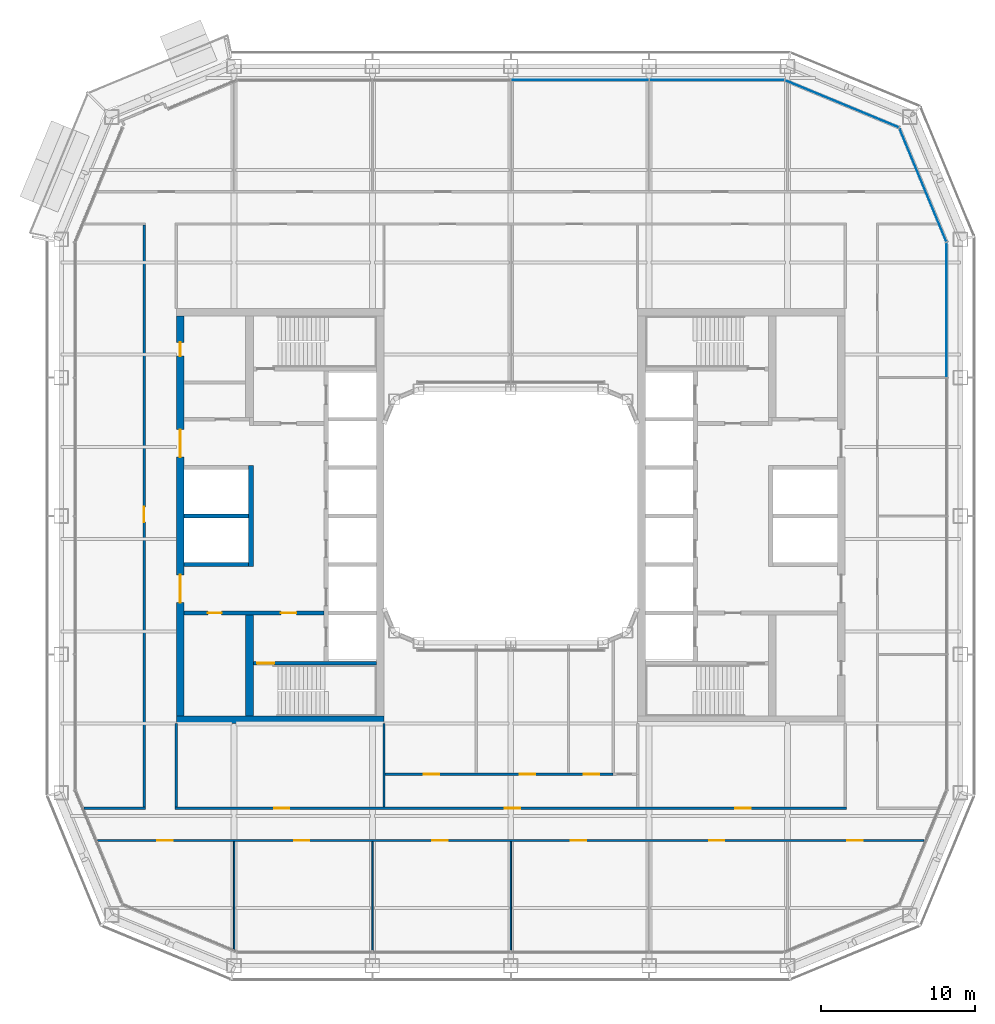
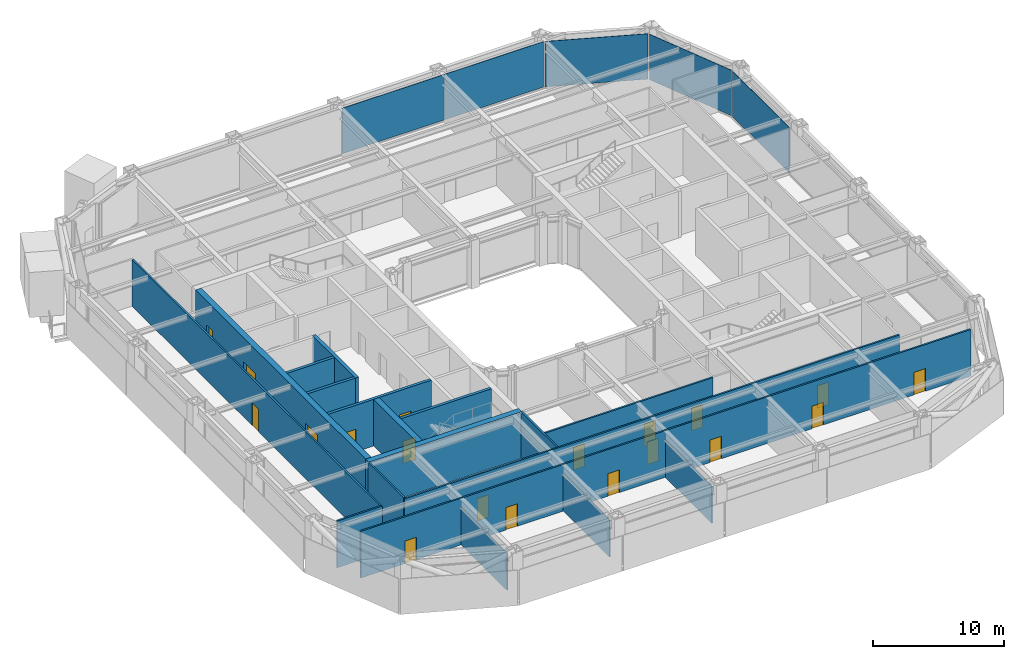
# One storey, part 11 of 23: 19 doors, 18 walls, 5 plates, 19 openings, 4 elements without a shape of their own.
"""IFC4 building model written with IfcOpenShell, lengths in metres."""

from ifc_helpers import new_model, si_unit, direction, frame, frame_2d, origin, origin_2d, place, context, subcontext, project, spatial, rectangle, extrude, material, layer, layer_set, type_object, element, fill, aggregate, save


model = new_model("IFC4")

# Units and contexts
model_context = context("Model", 3, precision=1e-05, world=origin(), true_north=direction((0.0, 1.0)))
body_context = subcontext(model_context, "Body", "Model", "MODEL_VIEW")
ifc_project = project(units=[si_unit("LENGTHUNIT", "METRE"), si_unit("AREAUNIT", "SQUARE_METRE"), si_unit("VOLUMEUNIT", "CUBIC_METRE"), si_unit("PLANEANGLEUNIT", "RADIAN"), si_unit("MASSUNIT", "GRAM", prefix="KILO")], contexts=[model_context])

# Site, building, storey
site_placement = place(None, origin())
site = spatial("IfcSite", under=ifc_project, at=site_placement, CompositionType="ELEMENT")
building_placement = place(site_placement, origin())
building = spatial("IfcBuilding", under=site, at=building_placement, Name="Siwar Civic Tower", CompositionType="ELEMENT")
storey_placement = place(building_placement, frame((0.0, 0.0, 136.199951171875)))
storey = spatial("IfcBuildingStorey", under=building, at=storey_placement, Name="L29", CompositionType="ELEMENT", Elevation=136.199951171875)

# Curtain wall, plate
ifc_material_1 = material(Name="Aluminium and glass", Category="aluminium")
ifc_layer_1 = layer(ifc_material_1, 0.199951171875)
ifc_layer_set_1 = layer_set([ifc_layer_1], Name="Aluminium and glass")
curtain_wall_type_1 = type_object("IfcCurtainWallType", Name="ENV-CW-B", PredefinedType="NOTDEFINED", material=ifc_layer_set_1)
curtain_wall_1_placement = place(storey_placement, origin())
curtain_wall_1 = element("IfcCurtainWall", 1, at=curtain_wall_1_placement, inside=storey, type_object=curtain_wall_type_1, Name="Curtain wall B E", PredefinedType="NOTDEFINED")
ifc_material_2 = material(Name="Glass clear laminated", Category="glass")
ifc_layer_2 = layer(ifc_material_2, 0.033935546875)
ifc_layer_set_2 = layer_set([ifc_layer_2], Name="Glass clear laminated")
plate_type_1 = type_object("IfcPlateType", Name="ENV-PANEL-B", PredefinedType="CURTAIN_PANEL", material=ifc_layer_set_2)
plate_1_placement = place(storey_placement, frame((28.35009765625, 13.369873046875, 0.10986328125), z_axis=(0.0, 0.0, 1.0), x_axis=(0.0, 1.0, 0.0)))
plate_1 = element("IfcPlate", 2, at=plate_1_placement, type_object=plate_type_1, Name="Curtain panel B E 4", PredefinedType="CURTAIN_PANEL", context=body_context, shape_type="SweptSolid", body=[
    extrude(rectangle(XDim=8.6748046875, YDim=0.033935546875, at=origin_2d()), origin(), (0.0, 0.0, 1.0), 4.239990234375),
])
aggregate(curtain_wall_1, [plate_1])

# Curtain wall, plates
curtain_wall_2_placement = place(storey_placement, origin())
curtain_wall_2 = element("IfcCurtainWall", 3, at=curtain_wall_2_placement, inside=storey, type_object=curtain_wall_type_1, Name="Curtain wall B N", PredefinedType="NOTDEFINED")
plate_2_placement = place(storey_placement, frame((13.410400390625, 28.35009765625, 0.10986328125), z_axis=(0.0, 0.0, 1.0), x_axis=(-1.0, 0.0, 0.0)))
plate_2 = element("IfcPlate", 4, at=plate_2_placement, type_object=plate_type_1, Name="Curtain panel B N 1", PredefinedType="CURTAIN_PANEL", context=body_context, shape_type="SweptSolid", body=[
    extrude(rectangle(XDim=8.755859375, YDim=0.033935546875, at=origin_2d()), origin(), (0.0, 0.0, 1.0), 4.239990234375),
])
plate_3_placement = place(storey_placement, frame((4.5, 28.35009765625, 0.10986328125), z_axis=(0.0, 0.0, 1.0), x_axis=(-1.0, 0.0, 0.0)))
plate_3 = element("IfcPlate", 5, at=plate_3_placement, type_object=plate_type_1, Name="Curtain panel B N 2", PredefinedType="CURTAIN_PANEL", context=body_context, shape_type="SweptSolid", body=[
    extrude(rectangle(XDim=8.93505859375, YDim=0.033935546875, at=origin_2d()), origin(), (0.0, 0.0, 1.0), 4.239990234375),
])
aggregate(curtain_wall_2, [plate_2, plate_3])

# Curtain wall, plate
ifc_material_3 = material(Name="Aluminium clad insulated panel", Category="aluminium")
ifc_layer_3 = layer(ifc_material_3, 0.199951171875)
ifc_layer_set_3 = layer_set([ifc_layer_3], Name="Aluminium clad insulated panel")
curtain_wall_type_2 = type_object("IfcCurtainWallType", Name="ENV-CW-BX", PredefinedType="NOTDEFINED", material=ifc_layer_set_3)
curtain_wall_3_placement = place(storey_placement, origin())
curtain_wall_3 = element("IfcCurtainWall", 6, at=curtain_wall_3_placement, inside=storey, type_object=curtain_wall_type_2, Name="Curtain wall B NE1", PredefinedType="NOTDEFINED")
ifc_material_4 = material(Name="Aluminium clad insulated panel", Category="aluminium")
ifc_layer_4 = layer(ifc_material_4, 0.033935546875)
ifc_layer_set_4 = layer_set([ifc_layer_4], Name="Aluminium clad insulated panel")
plate_type_2 = type_object("IfcPlateType", Name="ENV-PANEL-BX", PredefinedType="CURTAIN_PANEL", material=ifc_layer_set_4)
plate_4_placement = place(storey_placement, frame((26.823486328125, 21.506103515625, 0.10986328125), z_axis=(0.0, 0.0, 1.0), x_axis=(-0.382683432365, 0.923879532511, 0.0)))
plate_4 = element("IfcPlate", 7, at=plate_4_placement, type_object=plate_type_2, Name="Curtain panel B NE1 1", PredefinedType="CURTAIN_PANEL", context=body_context, shape_type="SweptSolid", body=[
    extrude(rectangle(XDim=7.912353515625, YDim=0.033935546875, at=origin_2d()), origin(), (0.0, 0.0, 1.0), 4.239990234375),
])
aggregate(curtain_wall_3, [plate_4])

curtain_wall_4_placement = place(storey_placement, origin())
curtain_wall_4 = element("IfcCurtainWall", 8, at=curtain_wall_4_placement, inside=storey, type_object=curtain_wall_type_2, Name="Curtain wall B NE2", PredefinedType="NOTDEFINED")
plate_5_placement = place(storey_placement, frame((21.5810546875, 26.79248046875, 0.10986328125), z_axis=(0.0, 0.0, 1.0), x_axis=(-0.923879532511, 0.382683432365, 0.0)))
plate_5 = element("IfcPlate", 9, at=plate_5_placement, type_object=plate_type_2, Name="Curtain panel B NE2 1", PredefinedType="CURTAIN_PANEL", context=body_context, shape_type="SweptSolid", body=[
    extrude(rectangle(XDim=7.912353515625, YDim=0.033935546875, at=origin_2d()), origin(), (0.0, 0.0, 1.0), 4.239990234375),
])
aggregate(curtain_wall_4, [plate_5])

# Wall, openings, doors
ifc_material_5 = material(Name="Concrete C60/75", Category="concrete")
ifc_layer_5 = layer(ifc_material_5, 0.25)
ifc_layer_set_5 = layer_set([ifc_layer_5], Name="Concrete C60/75")
wall_type_1 = type_object("IfcWallType", Name="CORE-WALL-RC250", PredefinedType="SHEAR", material=ifc_layer_set_5)
wall_1_placement = place(storey_placement, frame((-12.14990234375, -6.300048828125, 0.0), z_axis=(0.0, 0.0, 1.0), x_axis=(-1.0, 0.0, 0.0)))
wall_1 = element("IfcWall", 10, at=wall_1_placement, inside=storey, type_object=wall_type_1, Name="Core wall W", PredefinedType="SHEAR", context=body_context, shape_type="SweptSolid", body=[
    extrude(rectangle(XDim=9.10009765625, YDim=0.25, at=frame_2d((4.550048828125, 0.0))), origin(), (0.0, 0.0, 1.0), 4.35009765625),
])
opening_1_placement = place(wall_1_placement, frame((1.800048828125, 0.0, 0.0)))
opening_1 = element("IfcOpeningElement", 11, at=opening_1_placement, cuts=wall_1, Name="Opening L29-CW02", PredefinedType="OPENING", context=body_context, shape_type="SweptSolid", body=[
    extrude(rectangle(XDim=1.0, YDim=2.10009765625, at=frame_2d((0.5, 1.050048828125))), frame((0.0, 0.135009765625, 0.0), z_axis=(0.0, -1.0, 0.0), x_axis=(1.0, 0.0, 0.0)), (0.0, 0.0, 1.0), 0.27001953125),
])
opening_2_placement = place(wall_1_placement, frame((6.64990234375, 0.0, 0.0)))
opening_2 = element("IfcOpeningElement", 12, at=opening_2_placement, cuts=wall_1, Name="Opening L29-CW15", PredefinedType="OPENING", context=body_context, shape_type="SweptSolid", body=[
    extrude(rectangle(XDim=0.89990234375, YDim=2.10009765625, at=frame_2d((0.449951171875, 1.050048828125))), frame((0.0, 0.135009765625, 0.0), z_axis=(0.0, -1.0, 0.0), x_axis=(1.0, 0.0, 0.0)), (0.0, 0.0, 1.0), 0.27001953125),
])
ifc_material_6 = material(Name="Steel door leaf", Category="steel")
door_type_1 = type_object("IfcDoorType", Name="CORE-DOOR-FD30S", OperationType="SINGLE_SWING_LEFT", PredefinedType="DOOR", material=ifc_material_6)
door_1_placement = place(opening_1_placement, origin())
door_1 = element("IfcDoor", 13, at=door_1_placement, inside=storey, type_object=door_type_1, Name="Service lobby door L29-CW02", OperationType="SINGLE_SWING_RIGHT", OverallHeight=2.10009765625, OverallWidth=1.0, PredefinedType="DOOR", context=body_context, shape_type="SweptSolid", body=[
    extrude(rectangle(XDim=1.0, YDim=2.10009765625, at=frame_2d((0.5, 1.050048828125))), frame((0.0, 0.02490234375, 0.0), z_axis=(0.0, -1.0, 0.0), x_axis=(1.0, 0.0, 0.0)), (0.0, 0.0, 1.0), 0.050048828125),
])
fill(opening_1, door_1)
ifc_material_7 = material(Name="Steel door leaf", Category="steel")
door_type_2 = type_object("IfcDoorType", Name="CORE-DOOR-ROOM", OperationType="SINGLE_SWING_LEFT", PredefinedType="DOOR", material=ifc_material_7)
door_2_placement = place(opening_2_placement, origin())
door_2 = element("IfcDoor", 14, at=door_2_placement, inside=storey, type_object=door_type_2, Name="Core room door L29-CW15", OperationType="SINGLE_SWING_RIGHT", OverallHeight=2.10009765625, OverallWidth=0.89990234375, PredefinedType="DOOR", context=body_context, shape_type="SweptSolid", body=[
    extrude(rectangle(XDim=0.89990234375, YDim=2.10009765625, at=frame_2d((0.449951171875, 1.050048828125))), frame((0.0, 0.02490234375, 0.0), z_axis=(0.0, -1.0, 0.0), x_axis=(1.0, 0.0, 0.0)), (0.0, 0.0, 1.0), 0.050048828125),
])
fill(opening_2, door_2)

# Walls
for number, where, z_axis, x_axis, name in (
    (15, (-17.050048828125, 0.0, 0.0), (0.0, 0.0, 1.0), (-1.0, 0.0, 0.0), "Core wall W"),
    (16, (-17.050048828125, -3.14990234375, 0.0), (0.0, 0.0, 1.0), (-1.0, 0.0, 0.0), "Core wall W"),
):
    element("IfcWall", number, at=place(storey_placement, frame(where, z_axis=z_axis, x_axis=x_axis)), inside=storey, type_object=wall_type_1, Name=name, PredefinedType="SHEAR", context=body_context, shape_type="SweptSolid", body=[
        extrude(rectangle(XDim=4.199951171875, YDim=0.25, at=frame_2d((2.10009765625, 0.0))), origin(), (0.0, 0.0, 1.0), 4.35009765625),
    ])

# Wall, opening, door
wall_2_placement = place(storey_placement, frame((-8.75, -9.574951171875, 0.0), z_axis=(0.0, 0.0, 1.0), x_axis=(-1.0, 0.0, 0.0)))
wall_2 = element("IfcWall", 17, at=wall_2_placement, inside=storey, type_object=wall_type_1, Name="Core wall W", PredefinedType="SHEAR", context=body_context, shape_type="SweptSolid", body=[
    extrude(rectangle(XDim=8.0, YDim=0.25, at=frame_2d((4.0, 0.0))), origin(), (0.0, 0.0, 1.0), 4.35009765625),
])
opening_3_placement = place(wall_2_placement, frame((6.64990234375, 0.0, 0.0)))
opening_3 = element("IfcOpeningElement", 18, at=opening_3_placement, cuts=wall_2, Name="Opening L29-CW04", PredefinedType="OPENING", context=body_context, shape_type="SweptSolid", body=[
    extrude(rectangle(XDim=1.10009765625, YDim=2.10009765625, at=frame_2d((0.550048828125, 1.050048828125))), frame((0.0, 0.135009765625, 0.0), z_axis=(0.0, -1.0, 0.0), x_axis=(1.0, 0.0, 0.0)), (0.0, 0.0, 1.0), 0.27001953125),
])
ifc_material_8 = material(Name="Steel door leaf", Category="steel")
door_type_3 = type_object("IfcDoorType", Name="CORE-DOOR-FD60S", OperationType="SINGLE_SWING_LEFT", PredefinedType="DOOR", material=ifc_material_8)
door_3_placement = place(opening_3_placement, origin())
door_3 = element("IfcDoor", 19, at=door_3_placement, inside=storey, type_object=door_type_3, Name="Stair door L29-CW04", OperationType="SINGLE_SWING_LEFT", OverallHeight=2.10009765625, OverallWidth=1.10009765625, PredefinedType="DOOR", context=body_context, shape_type="SweptSolid", body=[
    extrude(rectangle(XDim=1.10009765625, YDim=2.10009765625, at=frame_2d((0.550048828125, 1.050048828125))), frame((0.0, 0.02490234375, 0.0), z_axis=(0.0, -1.0, 0.0), x_axis=(1.0, 0.0, 0.0)), (0.0, 0.0, 1.0), 0.050048828125),
])
fill(opening_3, door_3)

# Wall
ifc_material_9 = material(Name="Concrete C60/75", Category="concrete")
ifc_layer_6 = layer(ifc_material_9, 0.300048828125)
ifc_layer_set_6 = layer_set([ifc_layer_6], Name="Concrete C60/75")
wall_type_2 = type_object("IfcWallType", Name="CORE-WALL-RC300", PredefinedType="SHEAR", material=ifc_layer_set_6)
wall_3_placement = place(storey_placement, frame((-16.89990234375, -3.27490234375, 0.0), z_axis=(0.0, 0.0, 1.0), x_axis=(0.0, 1.0, 0.0)))
element("IfcWall", 20, at=wall_3_placement, inside=storey, type_object=wall_type_2, Name="Core wall W", PredefinedType="SHEAR", context=body_context, shape_type="SweptSolid", body=[
    extrude(rectangle(XDim=6.5498046875, YDim=0.300048828125, at=frame_2d((3.27490234375, 0.0))), origin(), (0.0, 0.0, 1.0), 4.35009765625),
])

# Wall, openings, doors
ifc_material_10 = material(Name="Concrete C60/75", Category="concrete")
ifc_layer_7 = layer(ifc_material_10, 0.5)
ifc_layer_set_7 = layer_set([ifc_layer_7], Name="Concrete C60/75")
wall_type_3 = type_object("IfcWallType", Name="CORE-WALL-RC500", PredefinedType="SHEAR", material=ifc_layer_set_7)
wall_4_placement = place(storey_placement, frame((-21.5, -13.0, 0.0), z_axis=(0.0, 0.0, 1.0), x_axis=(0.0, 1.0, 0.0)))
wall_4 = element("IfcWall", 21, at=wall_4_placement, inside=storey, type_object=wall_type_3, Name="Core wall W", PredefinedType="SHEAR", context=body_context, shape_type="SweptSolid", body=[
    extrude(rectangle(XDim=26.0, YDim=0.5, at=frame_2d((13.0, 0.0))), origin(), (0.0, 0.0, 1.0), 4.35009765625),
])
opening_4_placement = place(wall_4_placement, frame((16.824951171875, 0.0, 0.0)))
opening_4 = element("IfcOpeningElement", 22, at=opening_4_placement, cuts=wall_4, Name="Opening L29-CW05", PredefinedType="OPENING", context=body_context, shape_type="SweptSolid", body=[
    extrude(rectangle(XDim=1.800048828125, YDim=2.10009765625, at=frame_2d((0.89990234375, 1.050048828125))), frame((0.0, 0.260009765625, 0.0), z_axis=(0.0, -1.0, 0.0), x_axis=(1.0, 0.0, 0.0)), (0.0, 0.0, 1.0), 0.52001953125),
])
opening_5_placement = place(wall_4_placement, frame((7.375, 0.0, 0.0)))
opening_5 = element("IfcOpeningElement", 23, at=opening_5_placement, cuts=wall_4, Name="Opening L29-CW06", PredefinedType="OPENING", context=body_context, shape_type="SweptSolid", body=[
    extrude(rectangle(XDim=1.800048828125, YDim=2.10009765625, at=frame_2d((0.89990234375, 1.050048828125))), frame((0.0, 0.260009765625, 0.0), z_axis=(0.0, -1.0, 0.0), x_axis=(1.0, 0.0, 0.0)), (0.0, 0.0, 1.0), 0.52001953125),
])
opening_6_placement = place(wall_4_placement, frame((23.39990234375, 0.0, 0.0)))
opening_6 = element("IfcOpeningElement", 24, at=opening_6_placement, cuts=wall_4, Name="Opening L29-CW14", PredefinedType="OPENING", context=body_context, shape_type="SweptSolid", body=[
    extrude(rectangle(XDim=0.89990234375, YDim=2.10009765625, at=frame_2d((0.449951171875, 1.050048828125))), frame((0.0, 0.260009765625, 0.0), z_axis=(0.0, -1.0, 0.0), x_axis=(1.0, 0.0, 0.0)), (0.0, 0.0, 1.0), 0.52001953125),
])
ifc_material_11 = material(Name="Steel door leaf", Category="steel")
door_type_4 = type_object("IfcDoorType", Name="CORE-DOOR-PORT", OperationType="DOUBLE_DOOR_DOUBLE_SWING", PredefinedType="DOOR", material=ifc_material_11)
door_4_placement = place(opening_4_placement, origin())
door_4 = element("IfcDoor", 25, at=door_4_placement, inside=storey, type_object=door_type_4, Name="Core entrance door L29-CW05", OperationType="DOUBLE_DOOR_DOUBLE_SWING", OverallHeight=2.10009765625, OverallWidth=1.800048828125, PredefinedType="DOOR", context=body_context, shape_type="SweptSolid", body=[
    extrude(rectangle(XDim=1.800048828125, YDim=2.10009765625, at=frame_2d((0.89990234375, 1.050048828125))), frame((0.0, 0.02490234375, 0.0), z_axis=(0.0, -1.0, 0.0), x_axis=(1.0, 0.0, 0.0)), (0.0, 0.0, 1.0), 0.050048828125),
])
fill(opening_4, door_4)
door_5_placement = place(opening_5_placement, origin())
door_5 = element("IfcDoor", 26, at=door_5_placement, inside=storey, type_object=door_type_4, Name="Core entrance door L29-CW06", OperationType="DOUBLE_DOOR_DOUBLE_SWING", OverallHeight=2.10009765625, OverallWidth=1.800048828125, PredefinedType="DOOR", context=body_context, shape_type="SweptSolid", body=[
    extrude(rectangle(XDim=1.800048828125, YDim=2.10009765625, at=frame_2d((0.89990234375, 1.050048828125))), frame((0.0, 0.02490234375, 0.0), z_axis=(0.0, -1.0, 0.0), x_axis=(1.0, 0.0, 0.0)), (0.0, 0.0, 1.0), 0.050048828125),
])
fill(opening_5, door_5)
door_6_placement = place(opening_6_placement, origin())
door_6 = element("IfcDoor", 27, at=door_6_placement, inside=storey, type_object=door_type_2, Name="Core room door L29-CW14", OperationType="SINGLE_SWING_LEFT", OverallHeight=2.10009765625, OverallWidth=0.89990234375, PredefinedType="DOOR", context=body_context, shape_type="SweptSolid", body=[
    extrude(rectangle(XDim=0.89990234375, YDim=2.10009765625, at=frame_2d((0.449951171875, 1.050048828125))), frame((0.0, 0.02490234375, 0.0), z_axis=(0.0, -1.0, 0.0), x_axis=(1.0, 0.0, 0.0)), (0.0, 0.0, 1.0), 0.050048828125),
])
fill(opening_6, door_6)

# Walls
wall_5_placement = place(storey_placement, frame((-17.0, -13.0, 0.0), z_axis=(0.0, 0.0, 1.0), x_axis=(0.0, 1.0, 0.0)))
element("IfcWall", 28, at=wall_5_placement, inside=storey, type_object=wall_type_3, Name="Core wall W", PredefinedType="SHEAR", context=body_context, shape_type="SweptSolid", body=[
    extrude(rectangle(XDim=6.574951171875, YDim=0.5, at=frame_2d((3.28759765625, 0.0))), origin(), (0.0, 0.0, 1.0), 4.35009765625),
])
wall_6_placement = place(storey_placement, frame((-8.25, -13.25, 0.0), z_axis=(0.0, 0.0, 1.0), x_axis=(-1.0, 0.0, 0.0)))
element("IfcWall", 29, at=wall_6_placement, inside=storey, type_object=wall_type_3, Name="Core wall W", PredefinedType="SHEAR", context=body_context, shape_type="SweptSolid", body=[
    extrude(rectangle(XDim=13.5, YDim=0.5, at=frame_2d((6.75, 0.0))), origin(), (0.0, 0.0, 1.0), 4.35009765625),
])

# Wall, openings, doors
ifc_material_12 = material(Name="Gypsum board on steel studs", Category="steel")
ifc_layer_8 = layer(ifc_material_12, 0.14990234375)
ifc_layer_set_8 = layer_set([ifc_layer_8], Name="Gypsum board on steel studs")
wall_type_4 = type_object("IfcWallType", Name="CORRIDOR PARTITION 150 EI 30", PredefinedType="PARTITIONING", material=ifc_layer_set_8)
wall_7_placement = place(storey_placement, frame((-26.89404296875, -21.10009765625, 0.0), z_axis=(0.0, 0.0, 1.0), x_axis=(1.0, 0.0, 0.0)))
wall_7 = element("IfcWall", 30, at=wall_7_placement, inside=storey, type_object=wall_type_4, Name="L29/wall/P01", PredefinedType="PARTITIONING", context=body_context, shape_type="SweptSolid", body=[
    extrude(rectangle(XDim=53.7880859375, YDim=0.14990234375, at=frame_2d((26.89404296875, 0.0))), origin(), (0.0, 0.0, 1.0), 4.35009765625),
])
opening_7_placement = place(wall_7_placement, frame((12.7939453125, 0.0, 0.0)))
opening_7 = element("IfcOpeningElement", 31, at=opening_7_placement, cuts=wall_7, Name="Opening D1", PredefinedType="OPENING", context=body_context, shape_type="SweptSolid", body=[
    extrude(rectangle(XDim=1.0, YDim=2.10009765625, at=frame_2d((0.5, 1.050048828125))), frame((0.0, 0.0849609375, 0.0), z_axis=(0.0, -1.0, 0.0), x_axis=(1.0, 0.0, 0.0)), (0.0, 0.0, 1.0), 0.169921875),
])
opening_8_placement = place(wall_7_placement, frame((21.7939453125, 0.0, 0.0)))
opening_8 = element("IfcOpeningElement", 32, at=opening_8_placement, cuts=wall_7, Name="Opening D1", PredefinedType="OPENING", context=body_context, shape_type="SweptSolid", body=[
    extrude(rectangle(XDim=1.0, YDim=2.10009765625, at=frame_2d((0.5, 1.050048828125))), frame((0.0, 0.0849609375, 0.0), z_axis=(0.0, -1.0, 0.0), x_axis=(1.0, 0.0, 0.0)), (0.0, 0.0, 1.0), 0.169921875),
])
opening_9_placement = place(wall_7_placement, frame((30.7939453125, 0.0, 0.0)))
opening_9 = element("IfcOpeningElement", 33, at=opening_9_placement, cuts=wall_7, Name="Opening D1", PredefinedType="OPENING", context=body_context, shape_type="SweptSolid", body=[
    extrude(rectangle(XDim=1.0, YDim=2.10009765625, at=frame_2d((0.5, 1.050048828125))), frame((0.0, 0.0849609375, 0.0), z_axis=(0.0, -1.0, 0.0), x_axis=(1.0, 0.0, 0.0)), (0.0, 0.0, 1.0), 0.169921875),
])
opening_10_placement = place(wall_7_placement, frame((39.7939453125, 0.0, 0.0)))
opening_10 = element("IfcOpeningElement", 34, at=opening_10_placement, cuts=wall_7, Name="Opening D1", PredefinedType="OPENING", context=body_context, shape_type="SweptSolid", body=[
    extrude(rectangle(XDim=1.0, YDim=2.10009765625, at=frame_2d((0.5, 1.050048828125))), frame((0.0, 0.0849609375, 0.0), z_axis=(0.0, -1.0, 0.0), x_axis=(1.0, 0.0, 0.0)), (0.0, 0.0, 1.0), 0.169921875),
])
opening_11_placement = place(wall_7_placement, frame((3.89990234375, 0.0, 0.0)))
opening_11 = element("IfcOpeningElement", 35, at=opening_11_placement, cuts=wall_7, Name="Opening D1", PredefinedType="OPENING", context=body_context, shape_type="SweptSolid", body=[
    extrude(rectangle(XDim=1.0, YDim=2.10009765625, at=frame_2d((0.5, 1.050048828125))), frame((0.0, 0.0849609375, 0.0), z_axis=(0.0, -1.0, 0.0), x_axis=(1.0, 0.0, 0.0)), (0.0, 0.0, 1.0), 0.169921875),
])
opening_12_placement = place(wall_7_placement, frame((48.7939453125, 0.0, 0.0)))
opening_12 = element("IfcOpeningElement", 36, at=opening_12_placement, cuts=wall_7, Name="Opening D1", PredefinedType="OPENING", context=body_context, shape_type="SweptSolid", body=[
    extrude(rectangle(XDim=1.0, YDim=2.10009765625, at=frame_2d((0.5, 1.050048828125))), frame((0.0, 0.0849609375, 0.0), z_axis=(0.0, -1.0, 0.0), x_axis=(1.0, 0.0, 0.0)), (0.0, 0.0, 1.0), 0.169921875),
])
ifc_material_13 = material(Name="Timber, painted", Category="wood")
door_type_5 = type_object("IfcDoorType", Name="DOOR 1000 X 2100 FD30", OperationType="SINGLE_SWING_LEFT", PredefinedType="DOOR", material=ifc_material_13)
door_7_placement = place(opening_7_placement, origin())
door_7 = element("IfcDoor", 37, at=door_7_placement, inside=storey, type_object=door_type_5, Name="L29-D05", OperationType="SINGLE_SWING_LEFT", OverallHeight=2.10009765625, OverallWidth=1.0, PredefinedType="DOOR", context=body_context, shape_type="SweptSolid", body=[
    extrude(rectangle(XDim=1.0, YDim=2.10009765625, at=frame_2d((0.5, 1.050048828125))), frame((0.0, 0.02490234375, 0.0), z_axis=(0.0, -1.0, 0.0), x_axis=(1.0, 0.0, 0.0)), (0.0, 0.0, 1.0), 0.050048828125),
])
fill(opening_7, door_7)
door_8_placement = place(opening_8_placement, origin())
door_8 = element("IfcDoor", 38, at=door_8_placement, inside=storey, type_object=door_type_5, Name="L29-D06", OperationType="SINGLE_SWING_RIGHT", OverallHeight=2.10009765625, OverallWidth=1.0, PredefinedType="DOOR", context=body_context, shape_type="SweptSolid", body=[
    extrude(rectangle(XDim=1.0, YDim=2.10009765625, at=frame_2d((0.5, 1.050048828125))), frame((0.0, 0.02490234375, 0.0), z_axis=(0.0, -1.0, 0.0), x_axis=(1.0, 0.0, 0.0)), (0.0, 0.0, 1.0), 0.050048828125),
])
fill(opening_8, door_8)
door_9_placement = place(opening_9_placement, origin())
door_9 = element("IfcDoor", 39, at=door_9_placement, inside=storey, type_object=door_type_5, Name="L29-D07", OperationType="SINGLE_SWING_LEFT", OverallHeight=2.10009765625, OverallWidth=1.0, PredefinedType="DOOR", context=body_context, shape_type="SweptSolid", body=[
    extrude(rectangle(XDim=1.0, YDim=2.10009765625, at=frame_2d((0.5, 1.050048828125))), frame((0.0, 0.02490234375, 0.0), z_axis=(0.0, -1.0, 0.0), x_axis=(1.0, 0.0, 0.0)), (0.0, 0.0, 1.0), 0.050048828125),
])
fill(opening_9, door_9)
door_10_placement = place(opening_10_placement, origin())
door_10 = element("IfcDoor", 40, at=door_10_placement, inside=storey, type_object=door_type_5, Name="L29-D08", OperationType="SINGLE_SWING_RIGHT", OverallHeight=2.10009765625, OverallWidth=1.0, PredefinedType="DOOR", context=body_context, shape_type="SweptSolid", body=[
    extrude(rectangle(XDim=1.0, YDim=2.10009765625, at=frame_2d((0.5, 1.050048828125))), frame((0.0, 0.02490234375, 0.0), z_axis=(0.0, -1.0, 0.0), x_axis=(1.0, 0.0, 0.0)), (0.0, 0.0, 1.0), 0.050048828125),
])
fill(opening_10, door_10)
door_11_placement = place(opening_11_placement, origin())
door_11 = element("IfcDoor", 41, at=door_11_placement, inside=storey, type_object=door_type_5, Name="L29-D11", OperationType="SINGLE_SWING_LEFT", OverallHeight=2.10009765625, OverallWidth=1.0, PredefinedType="DOOR", context=body_context, shape_type="SweptSolid", body=[
    extrude(rectangle(XDim=1.0, YDim=2.10009765625, at=frame_2d((0.5, 1.050048828125))), frame((0.0, 0.02490234375, 0.0), z_axis=(0.0, -1.0, 0.0), x_axis=(1.0, 0.0, 0.0)), (0.0, 0.0, 1.0), 0.050048828125),
])
fill(opening_11, door_11)
door_12_placement = place(opening_12_placement, origin())
door_12 = element("IfcDoor", 42, at=door_12_placement, inside=storey, type_object=door_type_5, Name="L29-D12", OperationType="SINGLE_SWING_RIGHT", OverallHeight=2.10009765625, OverallWidth=1.0, PredefinedType="DOOR", context=body_context, shape_type="SweptSolid", body=[
    extrude(rectangle(XDim=1.0, YDim=2.10009765625, at=frame_2d((0.5, 1.050048828125))), frame((0.0, 0.02490234375, 0.0), z_axis=(0.0, -1.0, 0.0), x_axis=(1.0, 0.0, 0.0)), (0.0, 0.0, 1.0), 0.050048828125),
])
fill(opening_12, door_12)

# Wall
wall_8_placement = place(storey_placement, frame((-27.763916015625, -19.0, 0.0), z_axis=(0.0, 0.0, 1.0), x_axis=(1.0, 0.0, 0.0)))
element("IfcWall", 43, at=wall_8_placement, inside=storey, type_object=wall_type_4, Name="L29/wall/P02", PredefinedType="PARTITIONING", context=body_context, shape_type="SweptSolid", body=[
    extrude(rectangle(XDim=3.989013671875, YDim=0.14990234375, at=frame_2d((1.99462890625, 0.0))), origin(), (0.0, 0.0, 1.0), 4.35009765625),
])

# Wall, openings, doors
wall_9_placement = place(storey_placement, frame((-21.824951171875, -19.0, 0.0), z_axis=(0.0, 0.0, 1.0), x_axis=(1.0, 0.0, 0.0)))
wall_9 = element("IfcWall", 44, at=wall_9_placement, inside=storey, type_object=wall_type_4, Name="L29/wall/P03", PredefinedType="PARTITIONING", context=body_context, shape_type="SweptSolid", body=[
    extrude(rectangle(XDim=43.64990234375, YDim=0.14990234375, at=frame_2d((21.824951171875, 0.0))), origin(), (0.0, 0.0, 1.0), 4.35009765625),
])
opening_13_placement = place(wall_9_placement, frame((21.425048828125, 0.0, 0.0)))
opening_13 = element("IfcOpeningElement", 45, at=opening_13_placement, cuts=wall_9, Name="Opening D1", PredefinedType="OPENING", context=body_context, shape_type="SweptSolid", body=[
    extrude(rectangle(XDim=1.0, YDim=2.10009765625, at=frame_2d((0.5, 1.050048828125))), frame((0.0, 0.0849609375, 0.0), z_axis=(0.0, -1.0, 0.0), x_axis=(1.0, 0.0, 0.0)), (0.0, 0.0, 1.0), 0.169921875),
])
opening_14_placement = place(wall_9_placement, frame((6.425048828125, 0.0, 0.0)))
opening_14 = element("IfcOpeningElement", 46, at=opening_14_placement, cuts=wall_9, Name="Opening D1", PredefinedType="OPENING", context=body_context, shape_type="SweptSolid", body=[
    extrude(rectangle(XDim=1.0, YDim=2.10009765625, at=frame_2d((0.5, 1.050048828125))), frame((0.0, 0.0849609375, 0.0), z_axis=(0.0, -1.0, 0.0), x_axis=(1.0, 0.0, 0.0)), (0.0, 0.0, 1.0), 0.169921875),
])
opening_15_placement = place(wall_9_placement, frame((36.425048828125, 0.0, 0.0)))
opening_15 = element("IfcOpeningElement", 47, at=opening_15_placement, cuts=wall_9, Name="Opening D1", PredefinedType="OPENING", context=body_context, shape_type="SweptSolid", body=[
    extrude(rectangle(XDim=1.0, YDim=2.10009765625, at=frame_2d((0.5, 1.050048828125))), frame((0.0, 0.0849609375, 0.0), z_axis=(0.0, -1.0, 0.0), x_axis=(1.0, 0.0, 0.0)), (0.0, 0.0, 1.0), 0.169921875),
])
door_13_placement = place(opening_13_placement, origin())
door_13 = element("IfcDoor", 48, at=door_13_placement, inside=storey, type_object=door_type_5, Name="L29-D15", OperationType="SINGLE_SWING_LEFT", OverallHeight=2.10009765625, OverallWidth=1.0, PredefinedType="DOOR", context=body_context, shape_type="SweptSolid", body=[
    extrude(rectangle(XDim=1.0, YDim=2.10009765625, at=frame_2d((0.5, 1.050048828125))), frame((0.0, 0.02490234375, 0.0), z_axis=(0.0, -1.0, 0.0), x_axis=(1.0, 0.0, 0.0)), (0.0, 0.0, 1.0), 0.050048828125),
])
fill(opening_13, door_13)
door_14_placement = place(opening_14_placement, origin())
door_14 = element("IfcDoor", 49, at=door_14_placement, inside=storey, type_object=door_type_5, Name="L29-D22", OperationType="SINGLE_SWING_RIGHT", OverallHeight=2.10009765625, OverallWidth=1.0, PredefinedType="DOOR", context=body_context, shape_type="SweptSolid", body=[
    extrude(rectangle(XDim=1.0, YDim=2.10009765625, at=frame_2d((0.5, 1.050048828125))), frame((0.0, 0.02490234375, 0.0), z_axis=(0.0, -1.0, 0.0), x_axis=(1.0, 0.0, 0.0)), (0.0, 0.0, 1.0), 0.050048828125),
])
fill(opening_14, door_14)
door_15_placement = place(opening_15_placement, origin())
door_15 = element("IfcDoor", 50, at=door_15_placement, inside=storey, type_object=door_type_5, Name="L29-D23", OperationType="SINGLE_SWING_LEFT", OverallHeight=2.10009765625, OverallWidth=1.0, PredefinedType="DOOR", context=body_context, shape_type="SweptSolid", body=[
    extrude(rectangle(XDim=1.0, YDim=2.10009765625, at=frame_2d((0.5, 1.050048828125))), frame((0.0, 0.02490234375, 0.0), z_axis=(0.0, -1.0, 0.0), x_axis=(1.0, 0.0, 0.0)), (0.0, 0.0, 1.0), 0.050048828125),
])
fill(opening_15, door_15)

wall_10_placement = place(storey_placement, frame((-8.175048828125, -16.800048828125, 0.0), z_axis=(0.0, 0.0, 1.0), x_axis=(1.0, 0.0, 0.0)))
wall_10 = element("IfcWall", 51, at=wall_10_placement, inside=storey, type_object=wall_type_4, Name="L29/wall/P05", PredefinedType="PARTITIONING", context=body_context, shape_type="SweptSolid", body=[
    extrude(rectangle(XDim=14.8349609375, YDim=0.14990234375, at=frame_2d((7.41748046875, 0.0))), origin(), (0.0, 0.0, 1.0), 4.35009765625),
])
opening_16_placement = place(wall_10_placement, frame((2.52490234375, 0.0, 0.0)))
opening_16 = element("IfcOpeningElement", 52, at=opening_16_placement, cuts=wall_10, Name="Opening D3", PredefinedType="OPENING", context=body_context, shape_type="SweptSolid", body=[
    extrude(rectangle(XDim=1.0, YDim=2.10009765625, at=frame_2d((0.5, 1.050048828125))), frame((0.0, 0.0849609375, 0.0), z_axis=(0.0, -1.0, 0.0), x_axis=(1.0, 0.0, 0.0)), (0.0, 0.0, 1.0), 0.169921875),
])
opening_17_placement = place(wall_10_placement, frame((8.77490234375, 0.0, 0.0)))
opening_17 = element("IfcOpeningElement", 53, at=opening_17_placement, cuts=wall_10, Name="Opening D3", PredefinedType="OPENING", context=body_context, shape_type="SweptSolid", body=[
    extrude(rectangle(XDim=1.0, YDim=2.10009765625, at=frame_2d((0.5, 1.050048828125))), frame((0.0, 0.0849609375, 0.0), z_axis=(0.0, -1.0, 0.0), x_axis=(1.0, 0.0, 0.0)), (0.0, 0.0, 1.0), 0.169921875),
])
opening_18_placement = place(wall_10_placement, frame((12.93505859375, 0.0, 0.0)))
opening_18 = element("IfcOpeningElement", 54, at=opening_18_placement, cuts=wall_10, Name="Opening D3", PredefinedType="OPENING", context=body_context, shape_type="SweptSolid", body=[
    extrude(rectangle(XDim=1.0, YDim=2.10009765625, at=frame_2d((0.5, 1.050048828125))), frame((0.0, 0.0849609375, 0.0), z_axis=(0.0, -1.0, 0.0), x_axis=(1.0, 0.0, 0.0)), (0.0, 0.0, 1.0), 0.169921875),
])
ifc_material_14 = material(Name="Timber, painted", Category="wood")
door_type_6 = type_object("IfcDoorType", Name="DOOR 1000 X 2100 WC", OperationType="SINGLE_SWING_LEFT", PredefinedType="DOOR", material=ifc_material_14)
door_16_placement = place(opening_16_placement, origin())
door_16 = element("IfcDoor", 55, at=door_16_placement, inside=storey, type_object=door_type_6, Name="L29-D16", OperationType="SINGLE_SWING_RIGHT", OverallHeight=2.10009765625, OverallWidth=1.0, PredefinedType="DOOR", context=body_context, shape_type="SweptSolid", body=[
    extrude(rectangle(XDim=1.0, YDim=2.10009765625, at=frame_2d((0.5, 1.050048828125))), frame((0.0, 0.02490234375, 0.0), z_axis=(0.0, -1.0, 0.0), x_axis=(1.0, 0.0, 0.0)), (0.0, 0.0, 1.0), 0.050048828125),
])
fill(opening_16, door_16)
door_17_placement = place(opening_17_placement, origin())
door_17 = element("IfcDoor", 56, at=door_17_placement, inside=storey, type_object=door_type_6, Name="L29-D17", OperationType="SINGLE_SWING_LEFT", OverallHeight=2.10009765625, OverallWidth=1.0, PredefinedType="DOOR", context=body_context, shape_type="SweptSolid", body=[
    extrude(rectangle(XDim=1.0, YDim=2.10009765625, at=frame_2d((0.5, 1.050048828125))), frame((0.0, 0.02490234375, 0.0), z_axis=(0.0, -1.0, 0.0), x_axis=(1.0, 0.0, 0.0)), (0.0, 0.0, 1.0), 0.050048828125),
])
fill(opening_17, door_17)
door_18_placement = place(opening_18_placement, origin())
door_18 = element("IfcDoor", 57, at=door_18_placement, inside=storey, type_object=door_type_6, Name="L29-D18", OperationType="SINGLE_SWING_RIGHT", OverallHeight=2.10009765625, OverallWidth=1.0, PredefinedType="DOOR", context=body_context, shape_type="SweptSolid", body=[
    extrude(rectangle(XDim=1.0, YDim=2.10009765625, at=frame_2d((0.5, 1.050048828125))), frame((0.0, 0.02490234375, 0.0), z_axis=(0.0, -1.0, 0.0), x_axis=(1.0, 0.0, 0.0)), (0.0, 0.0, 1.0), 0.050048828125),
])
fill(opening_18, door_18)

# Wall, opening, door
wall_11_placement = place(storey_placement, frame((-23.85009765625, -18.925048828125, 0.0), z_axis=(0.0, 0.0, 1.0), x_axis=(0.0, 1.0, 0.0)))
wall_11 = element("IfcWall", 58, at=wall_11_placement, inside=storey, type_object=wall_type_4, Name="L29/wall/P14", PredefinedType="PARTITIONING", context=body_context, shape_type="SweptSolid", body=[
    extrude(rectangle(XDim=37.85009765625, YDim=0.14990234375, at=frame_2d((18.925048828125, 0.0))), origin(), (0.0, 0.0, 1.0), 4.35009765625),
])
opening_19_placement = place(wall_11_placement, frame((18.52490234375, 0.0, 0.0)))
opening_19 = element("IfcOpeningElement", 59, at=opening_19_placement, cuts=wall_11, Name="Opening D1", PredefinedType="OPENING", context=body_context, shape_type="SweptSolid", body=[
    extrude(rectangle(XDim=1.0, YDim=2.10009765625, at=frame_2d((0.5, 1.050048828125))), frame((0.0, 0.0849609375, 0.0), z_axis=(0.0, -1.0, 0.0), x_axis=(1.0, 0.0, 0.0)), (0.0, 0.0, 1.0), 0.169921875),
])
door_19_placement = place(opening_19_placement, origin())
door_19 = element("IfcDoor", 60, at=door_19_placement, inside=storey, type_object=door_type_5, Name="L29-D24", OperationType="SINGLE_SWING_RIGHT", OverallHeight=2.10009765625, OverallWidth=1.0, PredefinedType="DOOR", context=body_context, shape_type="SweptSolid", body=[
    extrude(rectangle(XDim=1.0, YDim=2.10009765625, at=frame_2d((0.5, 1.050048828125))), frame((0.0, 0.02490234375, 0.0), z_axis=(0.0, -1.0, 0.0), x_axis=(1.0, 0.0, 0.0)), (0.0, 0.0, 1.0), 0.050048828125),
])
fill(opening_19, door_19)

# Walls
for number, where, z_axis, x_axis, name in (
    (61, (-21.75, -18.925048828125, 0.0), (0.0, 0.0, 1.0), (0.0, 1.0, 0.0), "L29/wall/P15"),
    (62, (-8.25, -18.925048828125, 0.0), (0.0, 0.0, 1.0), (0.0, 1.0, 0.0), "L29/wall/P22"),
):
    element("IfcWall", number, at=place(storey_placement, frame(where, z_axis=z_axis, x_axis=x_axis)), inside=storey, type_object=wall_type_4, Name=name, PredefinedType="PARTITIONING", context=body_context, shape_type="SweptSolid", body=[
        extrude(rectangle(XDim=5.425048828125, YDim=0.14990234375, at=frame_2d((2.71240234375, 0.0))), origin(), (0.0, 0.0, 1.0), 4.35009765625),
    ])
ifc_material_15 = material(Name="Gypsum board on steel studs", Category="steel")
ifc_layer_9 = layer(ifc_material_15, 0.10009765625)
ifc_layer_set_9 = layer_set([ifc_layer_9], Name="Gypsum board on steel studs")
wall_type_5 = type_object("IfcWallType", Name="PARTITION 100 GYPSUM", PredefinedType="PARTITIONING", material=ifc_layer_set_9)
wall_12_placement = place(storey_placement, frame((-18.0, -28.177978515625, 0.0), z_axis=(0.0, 0.0, 1.0), x_axis=(0.0, 1.0, 0.0)))
element("IfcWall", 63, at=wall_12_placement, inside=storey, type_object=wall_type_5, Name="L29/wall/P17", PredefinedType="PARTITIONING", context=body_context, shape_type="SweptSolid", body=[
    extrude(rectangle(XDim=7.0029296875, YDim=0.10009765625, at=frame_2d((3.50146484375, 0.0))), origin(), (0.0, 0.0, 1.0), 3.449951171875),
])
for number, where, z_axis, x_axis, name in (
    (64, (-9.0, -28.260009765625, 0.0), (0.0, 0.0, 1.0), (0.0, 1.0, 0.0), "L29/wall/P19"),
    (65, (0.0, -28.260009765625, 0.0), (0.0, 0.0, 1.0), (0.0, 1.0, 0.0), "L29/wall/P24"),
):
    element("IfcWall", number, at=place(storey_placement, frame(where, z_axis=z_axis, x_axis=x_axis)), inside=storey, type_object=wall_type_5, Name=name, PredefinedType="PARTITIONING", context=body_context, shape_type="SweptSolid", body=[
        extrude(rectangle(XDim=7.0849609375, YDim=0.10009765625, at=frame_2d((3.54248046875, 0.0))), origin(), (0.0, 0.0, 1.0), 3.449951171875),
    ])

save(model, "model.ifc")
